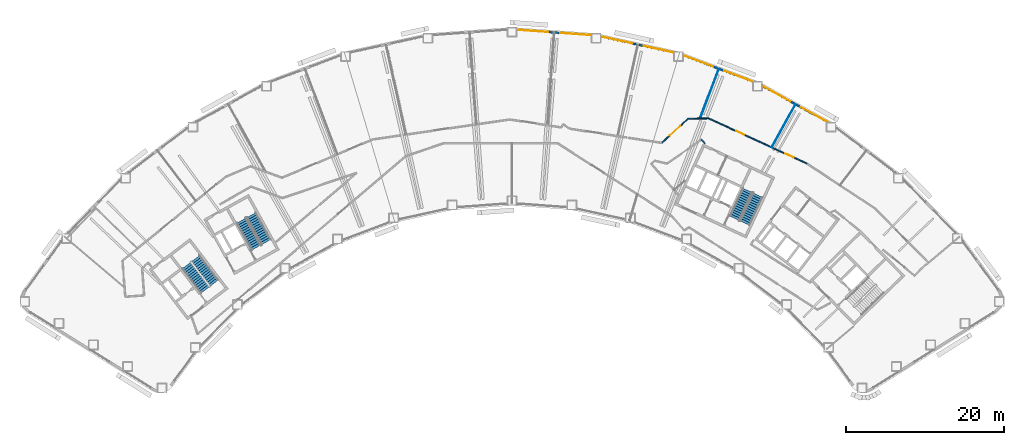
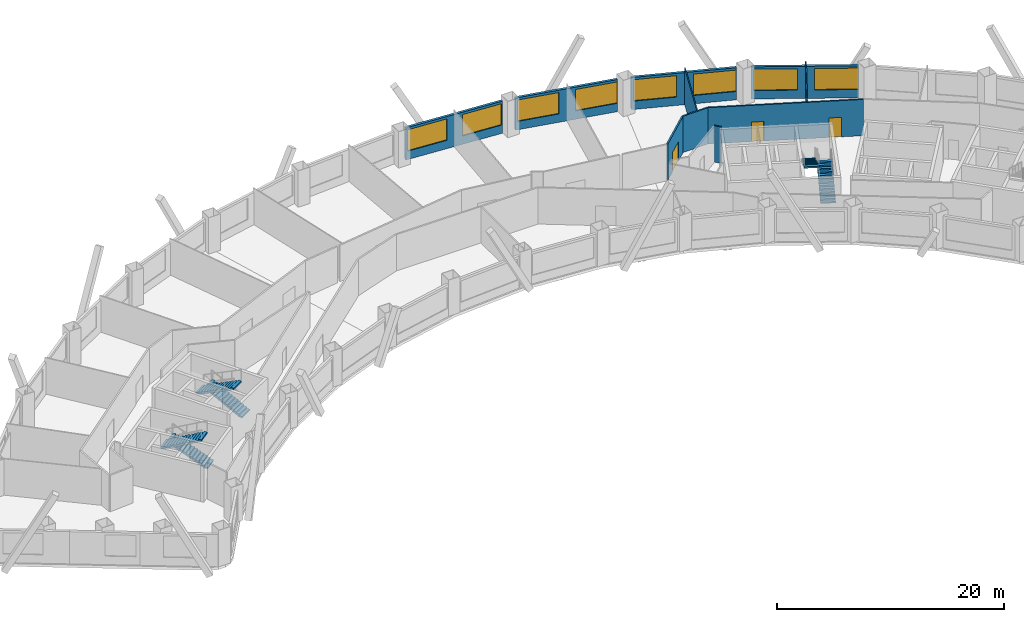
# One storey, part 8 of 11: 10 walls, 8 windows, 6 stair flights, 3 doors, 11 openings, 3 elements without a shape of their own.
"""IFC4 building model written with IfcOpenShell, lengths in metres."""

from ifc_helpers import new_model, si_unit, direction, frame, frame_2d, origin, place, context, subcontext, project, spatial, polyline, rectangle, outline, extrude, material, layer, layer_set, type_object, element, fill, aggregate, save


model = new_model("IFC4")

# Units and contexts
model_context = context("Model", 3, precision=1e-05, world=origin(), true_north=direction((0.0, 1.0)))
body_context = subcontext(model_context, "Body", "Model", "MODEL_VIEW")
ifc_project = project(units=[si_unit("LENGTHUNIT", "METRE"), si_unit("AREAUNIT", "SQUARE_METRE"), si_unit("VOLUMEUNIT", "CUBIC_METRE"), si_unit("PLANEANGLEUNIT", "RADIAN"), si_unit("MASSUNIT", "GRAM", prefix="KILO")], contexts=[model_context])

# Site, building, storey
site_placement = place(None, origin())
site = spatial("IfcSite", under=ifc_project, at=site_placement, CompositionType="ELEMENT")
building_placement = place(site_placement, origin())
building = spatial("IfcBuilding", under=site, at=building_placement, Name="Tuul Gate Civic Tower", CompositionType="ELEMENT")
storey_placement = place(building_placement, frame((0.0, 0.0, 65.39990234375)))
storey = spatial("IfcBuildingStorey", under=building, at=storey_placement, Name="Level 14", CompositionType="ELEMENT", Elevation=65.39990234375)

# Wall, openings, doors
ifc_material_1 = material(Name="Gypsum board partition")
ifc_layer_1 = layer(ifc_material_1, 0.14990234375)
ifc_layer_set_1 = layer_set([ifc_layer_1], Name="Gypsum board partition")
wall_type_1 = type_object("IfcWallType", Name="Corridor wall P150", PredefinedType="PARTITIONING", material=ifc_layer_set_1)
wall_1_placement = place(storey_placement, frame((29.681884765625, 7.77734375, 0.0), z_axis=(0.0, 0.0, 1.0), x_axis=(0.908660653777, -0.417535407213, 0.0)))
wall_1 = element("IfcWall", 1, at=wall_1_placement, inside=storey, type_object=wall_type_1, Name="p010", PredefinedType="PARTITIONING", context=body_context, shape_type="SweptSolid", body=[
    extrude(rectangle(XDim=13.76123046875, YDim=0.14990234375, at=frame_2d((6.880615234375, 0.0))), origin(), (0.0, 0.0, 1.0), 3.900146484375),
])
opening_1_placement = place(wall_1_placement, frame((10.729736328125, 0.0, 0.0)))
opening_1 = element("IfcOpeningElement", 2, at=opening_1_placement, cuts=wall_1, Name="Opening D-D02", PredefinedType="OPENING", context=body_context, shape_type="SweptSolid", body=[
    extrude(rectangle(XDim=1.10009765625, YDim=2.10009765625, at=frame_2d((0.550048828125, 1.050048828125))), frame((0.0, 0.0849609375, 0.0), z_axis=(0.0, -1.0, 0.0), x_axis=(1.0, 0.0, 0.0)), (0.0, 0.0, 1.0), 0.169921875),
])
opening_2_placement = place(wall_1_placement, frame((3.84912109375, 0.0, 0.0)))
opening_2 = element("IfcOpeningElement", 3, at=opening_2_placement, cuts=wall_1, Name="Opening D-D03", PredefinedType="OPENING", context=body_context, shape_type="SweptSolid", body=[
    extrude(rectangle(XDim=1.10009765625, YDim=2.10009765625, at=frame_2d((0.550048828125, 1.050048828125))), frame((0.0, 0.0849609375, 0.0), z_axis=(0.0, -1.0, 0.0), x_axis=(1.0, 0.0, 0.0)), (0.0, 0.0, 1.0), 0.169921875),
])
ifc_material_2 = material(Name="Timber door leaf", Category="wood")
door_type_1 = type_object("IfcDoorType", Name="Door D11", OperationType="NOTDEFINED", PredefinedType="DOOR", material=ifc_material_2)
door_1_placement = place(opening_1_placement, origin())
door_1 = element("IfcDoor", 4, at=door_1_placement, inside=storey, type_object=door_type_1, Name="Door D-D02", OperationType="SINGLE_SWING_RIGHT", OverallHeight=2.10009765625, OverallWidth=1.10009765625, PredefinedType="DOOR", context=body_context, shape_type="SweptSolid", body=[
    extrude(rectangle(XDim=1.10009765625, YDim=2.10009765625, at=frame_2d((0.550048828125, 1.050048828125))), frame((0.0, 0.02490234375, 0.0), z_axis=(0.0, -1.0, 0.0), x_axis=(1.0, 0.0, 0.0)), (0.0, 0.0, 1.0), 0.050048828125),
])
fill(opening_1, door_1)
door_2_placement = place(opening_2_placement, origin())
door_2 = element("IfcDoor", 5, at=door_2_placement, inside=storey, type_object=door_type_1, Name="Door D-D03", OperationType="SINGLE_SWING_RIGHT", OverallHeight=2.10009765625, OverallWidth=1.10009765625, PredefinedType="DOOR", context=body_context, shape_type="SweptSolid", body=[
    extrude(rectangle(XDim=1.10009765625, YDim=2.10009765625, at=frame_2d((0.550048828125, 1.050048828125))), frame((0.0, 0.02490234375, 0.0), z_axis=(0.0, -1.0, 0.0), x_axis=(1.0, 0.0, 0.0)), (0.0, 0.0, 1.0), 0.050048828125),
])
fill(opening_2, door_2)

# Wall
wall_2_placement = place(storey_placement, frame((27.086669921875, 7.726806640625, 0.0), z_axis=(0.0, 0.0, 1.0), x_axis=(0.999808508036, 0.019569038268, 0.0)))
element("IfcWall", 6, at=wall_2_placement, inside=storey, type_object=wall_type_1, Name="p012", PredefinedType="PARTITIONING", context=body_context, shape_type="SweptSolid", body=[
    extrude(rectangle(XDim=2.594970703125, YDim=0.14990234375, at=frame_2d((1.29736328125, 0.0))), origin(), (0.0, 0.0, 1.0), 3.900146484375),
])

# Wall, opening, door
wall_3_placement = place(storey_placement, frame((23.764404296875, 4.680419921875, 0.0), z_axis=(0.0, 0.0, 1.0), x_axis=(0.736974217678, 0.675920855188, 0.0)))
wall_3 = element("IfcWall", 7, at=wall_3_placement, inside=storey, type_object=wall_type_1, Name="p014", PredefinedType="PARTITIONING", context=body_context, shape_type="SweptSolid", body=[
    extrude(rectangle(XDim=4.506591796875, YDim=0.14990234375, at=frame_2d((2.25341796875, 0.0))), origin(), (0.0, 0.0, 1.0), 3.900146484375),
])
opening_3_placement = place(wall_3_placement, frame((1.353515625, 0.0, 0.0)))
opening_3 = element("IfcOpeningElement", 8, at=opening_3_placement, cuts=wall_3, Name="Opening D-D04", PredefinedType="OPENING", context=body_context, shape_type="SweptSolid", body=[
    extrude(rectangle(XDim=1.800048828125, YDim=2.10009765625, at=frame_2d((0.89990234375, 1.050048828125))), frame((0.0, 0.0849609375, 0.0), z_axis=(0.0, -1.0, 0.0), x_axis=(1.0, 0.0, 0.0)), (0.0, 0.0, 1.0), 0.169921875),
])
ifc_material_3 = material(Name="Timber door leaf, double", Category="wood")
door_type_2 = type_object("IfcDoorType", Name="Door D18", OperationType="DOUBLE_DOOR_SINGLE_SWING", PredefinedType="DOOR", material=ifc_material_3)
door_3_placement = place(opening_3_placement, origin())
door_3 = element("IfcDoor", 9, at=door_3_placement, inside=storey, type_object=door_type_2, Name="Door D-D04", OperationType="DOUBLE_DOOR_SINGLE_SWING", OverallHeight=2.10009765625, OverallWidth=1.800048828125, PredefinedType="DOOR", context=body_context, shape_type="SweptSolid", body=[
    extrude(rectangle(XDim=1.800048828125, YDim=2.10009765625, at=frame_2d((0.89990234375, 1.050048828125))), frame((0.0, 0.02490234375, 0.0), z_axis=(0.0, -1.0, 0.0), x_axis=(1.0, 0.0, 0.0)), (0.0, 0.0, 1.0), 0.050048828125),
])
fill(opening_3, door_3)

# Wall
wall_4_placement = place(storey_placement, frame((28.791748046875, 5.095947265625, 0.0), z_axis=(0.0, 0.0, 1.0), x_axis=(0.657976599843, -0.753038374891, 0.0)))
element("IfcWall", 10, at=wall_4_placement, inside=storey, type_object=wall_type_1, Name="p058", PredefinedType="PARTITIONING", context=body_context, shape_type="SweptSolid", body=[
    extrude(rectangle(XDim=0.65478515625, YDim=0.14990234375, at=frame_2d((0.327392578125, 0.0))), origin(), (0.0, 0.0, 1.0), 3.900146484375),
])

# Wall, openings, windows
ifc_material_4 = material(Name="Precast concrete C40/50", Category="concrete")
ifc_layer_2 = layer(ifc_material_4, 0.25)
ifc_layer_set_2 = layer_set([ifc_layer_2], Name="Precast concrete C40/50")
wall_type_2 = type_object("IfcWallType", Name="External wall", PredefinedType="STANDARD", material=ifc_layer_set_2)
wall_5_placement = place(storey_placement, frame((44.798583984375, 7.283935546875, 0.0), z_axis=(0.0, 0.0, 1.0), x_axis=(-0.874600835604, 0.484843663835, 0.0)))
wall_5 = element("IfcWall", 11, at=wall_5_placement, inside=storey, type_object=wall_type_2, Name="External wall", PredefinedType="STANDARD", context=body_context, shape_type="SweptSolid", body=[
    extrude(rectangle(XDim=9.5205078125, YDim=0.25, at=frame_2d((4.76025390625, 0.0))), origin(), (0.0, 0.0, 1.0), 3.4501953125),
])
opening_4_placement = place(wall_5_placement, frame((0.0771484375, 0.0, 0.89990234375)))
opening_4 = element("IfcOpeningElement", 12, at=opening_4_placement, cuts=wall_5, Name="Opening W22", PredefinedType="OPENING", context=body_context, shape_type="SweptSolid", body=[
    extrude(rectangle(XDim=3.85009765625, YDim=2.300048828125, at=frame_2d((1.925048828125, 1.14990234375))), frame((0.0, 0.135009765625, 0.0), z_axis=(0.0, -1.0, 0.0), x_axis=(1.0, 0.0, 0.0)), (0.0, 0.0, 1.0), 0.27001953125),
])
opening_5_placement = place(wall_5_placement, frame((5.447998046875, 0.0, 0.89990234375)))
opening_5 = element("IfcOpeningElement", 13, at=opening_5_placement, cuts=wall_5, Name="Opening W22", PredefinedType="OPENING", context=body_context, shape_type="SweptSolid", body=[
    extrude(rectangle(XDim=3.85009765625, YDim=2.300048828125, at=frame_2d((1.925048828125, 1.14990234375))), frame((0.0, 0.135009765625, 0.0), z_axis=(0.0, -1.0, 0.0), x_axis=(1.0, 0.0, 0.0)), (0.0, 0.0, 1.0), 0.27001953125),
])
ifc_material_5 = material(Name="Glass", Category="glass")
window_type_1 = type_object("IfcWindowType", Name="Window W22 3850 x 2300", PartitioningType="SINGLE_PANEL", PredefinedType="WINDOW", material=ifc_material_5)
window_1_placement = place(opening_4_placement, origin())
window_1 = element("IfcWindow", 14, at=window_1_placement, inside=storey, type_object=window_type_1, Name="Window", OverallHeight=2.300048828125, OverallWidth=3.85009765625, PartitioningType="SINGLE_PANEL", PredefinedType="WINDOW", context=body_context, shape_type="SweptSolid", body=[
    extrude(rectangle(XDim=3.85009765625, YDim=2.300048828125, at=frame_2d((1.925048828125, 1.14990234375))), frame((0.0, 0.030029296875, 0.0), z_axis=(0.0, -1.0, 0.0), x_axis=(1.0, 0.0, 0.0)), (0.0, 0.0, 1.0), 0.06005859375),
])
fill(opening_4, window_1)
window_2_placement = place(opening_5_placement, origin())
window_2 = element("IfcWindow", 15, at=window_2_placement, inside=storey, type_object=window_type_1, Name="Window", OverallHeight=2.300048828125, OverallWidth=3.85009765625, PartitioningType="SINGLE_PANEL", PredefinedType="WINDOW", context=body_context, shape_type="SweptSolid", body=[
    extrude(rectangle(XDim=3.85009765625, YDim=2.300048828125, at=frame_2d((1.925048828125, 1.14990234375))), frame((0.0, 0.030029296875, 0.0), z_axis=(0.0, -1.0, 0.0), x_axis=(1.0, 0.0, 0.0)), (0.0, 0.0, 1.0), 0.06005859375),
])
fill(opening_5, window_2)

wall_6_placement = place(storey_placement, frame((35.27197265625, 12.43505859375, 0.0), z_axis=(0.0, 0.0, 1.0), x_axis=(-0.935339717619, 0.35375077759, 0.0)))
wall_6 = element("IfcWall", 16, at=wall_6_placement, inside=storey, type_object=wall_type_2, Name="External wall", PredefinedType="STANDARD", context=body_context, shape_type="SweptSolid", body=[
    extrude(rectangle(XDim=9.394287109375, YDim=0.25, at=frame_2d((4.697265625, 0.0))), origin(), (0.0, 0.0, 1.0), 3.4501953125),
])
opening_6_placement = place(wall_6_placement, frame((0.044921875, 0.0, 0.89990234375)))
opening_6 = element("IfcOpeningElement", 17, at=opening_6_placement, cuts=wall_6, Name="Opening W100", PredefinedType="OPENING", context=body_context, shape_type="SweptSolid", body=[
    extrude(rectangle(XDim=3.800048828125, YDim=2.300048828125, at=frame_2d((1.89990234375, 1.14990234375))), frame((0.0, 0.135009765625, 0.0), z_axis=(0.0, -1.0, 0.0), x_axis=(1.0, 0.0, 0.0)), (0.0, 0.0, 1.0), 0.27001953125),
])
opening_7_placement = place(wall_6_placement, frame((5.33447265625, 0.0, 0.89990234375)))
opening_7 = element("IfcOpeningElement", 18, at=opening_7_placement, cuts=wall_6, Name="Opening W22", PredefinedType="OPENING", context=body_context, shape_type="SweptSolid", body=[
    extrude(rectangle(XDim=3.85009765625, YDim=2.300048828125, at=frame_2d((1.925048828125, 1.14990234375))), frame((0.0, 0.135009765625, 0.0), z_axis=(0.0, -1.0, 0.0), x_axis=(1.0, 0.0, 0.0)), (0.0, 0.0, 1.0), 0.27001953125),
])
ifc_material_6 = material(Name="Glass", Category="glass")
window_type_2 = type_object("IfcWindowType", Name="Window W100 3800 x 2300", PartitioningType="SINGLE_PANEL", PredefinedType="WINDOW", material=ifc_material_6)
window_3_placement = place(opening_6_placement, origin())
window_3 = element("IfcWindow", 19, at=window_3_placement, inside=storey, type_object=window_type_2, Name="Window", OverallHeight=2.300048828125, OverallWidth=3.800048828125, PartitioningType="SINGLE_PANEL", PredefinedType="WINDOW", context=body_context, shape_type="SweptSolid", body=[
    extrude(rectangle(XDim=3.800048828125, YDim=2.300048828125, at=frame_2d((1.89990234375, 1.14990234375))), frame((0.0, 0.030029296875, 0.0), z_axis=(0.0, -1.0, 0.0), x_axis=(1.0, 0.0, 0.0)), (0.0, 0.0, 1.0), 0.06005859375),
])
fill(opening_6, window_3)
window_4_placement = place(opening_7_placement, origin())
window_4 = element("IfcWindow", 20, at=window_4_placement, inside=storey, type_object=window_type_1, Name="Window", OverallHeight=2.300048828125, OverallWidth=3.85009765625, PartitioningType="SINGLE_PANEL", PredefinedType="WINDOW", context=body_context, shape_type="SweptSolid", body=[
    extrude(rectangle(XDim=3.85009765625, YDim=2.300048828125, at=frame_2d((1.925048828125, 1.14990234375))), frame((0.0, 0.030029296875, 0.0), z_axis=(0.0, -1.0, 0.0), x_axis=(1.0, 0.0, 0.0)), (0.0, 0.0, 1.0), 0.06005859375),
])
fill(opening_7, window_4)

wall_7_placement = place(storey_placement, frame((25.284912109375, 16.1025390625, 0.0), z_axis=(0.0, 0.0, 1.0), x_axis=(-0.976565560321, 0.215220134732, 0.0)))
wall_7 = element("IfcWall", 21, at=wall_7_placement, inside=storey, type_object=wall_type_2, Name="External wall", PredefinedType="STANDARD", context=body_context, shape_type="SweptSolid", body=[
    extrude(rectangle(XDim=9.4482421875, YDim=0.25, at=frame_2d((4.72412109375, 0.0))), origin(), (0.0, 0.0, 1.0), 3.4501953125),
])
opening_8_placement = place(wall_7_placement, frame((0.041748046875, 0.0, 0.89990234375)))
opening_8 = element("IfcOpeningElement", 22, at=opening_8_placement, cuts=wall_7, Name="Opening W22", PredefinedType="OPENING", context=body_context, shape_type="SweptSolid", body=[
    extrude(rectangle(XDim=3.85009765625, YDim=2.300048828125, at=frame_2d((1.925048828125, 1.14990234375))), frame((0.0, 0.135009765625, 0.0), z_axis=(0.0, -1.0, 0.0), x_axis=(1.0, 0.0, 0.0)), (0.0, 0.0, 1.0), 0.27001953125),
])
opening_9_placement = place(wall_7_placement, frame((5.4130859375, 0.0, 0.89990234375)))
opening_9 = element("IfcOpeningElement", 23, at=opening_9_placement, cuts=wall_7, Name="Opening W22", PredefinedType="OPENING", context=body_context, shape_type="SweptSolid", body=[
    extrude(rectangle(XDim=3.85009765625, YDim=2.300048828125, at=frame_2d((1.925048828125, 1.14990234375))), frame((0.0, 0.135009765625, 0.0), z_axis=(0.0, -1.0, 0.0), x_axis=(1.0, 0.0, 0.0)), (0.0, 0.0, 1.0), 0.27001953125),
])
window_5_placement = place(opening_8_placement, origin())
window_5 = element("IfcWindow", 24, at=window_5_placement, inside=storey, type_object=window_type_1, Name="Window", OverallHeight=2.300048828125, OverallWidth=3.85009765625, PartitioningType="SINGLE_PANEL", PredefinedType="WINDOW", context=body_context, shape_type="SweptSolid", body=[
    extrude(rectangle(XDim=3.85009765625, YDim=2.300048828125, at=frame_2d((1.925048828125, 1.14990234375))), frame((0.0, 0.030029296875, 0.0), z_axis=(0.0, -1.0, 0.0), x_axis=(1.0, 0.0, 0.0)), (0.0, 0.0, 1.0), 0.06005859375),
])
fill(opening_8, window_5)
window_6_placement = place(opening_9_placement, origin())
window_6 = element("IfcWindow", 25, at=window_6_placement, inside=storey, type_object=window_type_1, Name="Window", OverallHeight=2.300048828125, OverallWidth=3.85009765625, PartitioningType="SINGLE_PANEL", PredefinedType="WINDOW", context=body_context, shape_type="SweptSolid", body=[
    extrude(rectangle(XDim=3.85009765625, YDim=2.300048828125, at=frame_2d((1.925048828125, 1.14990234375))), frame((0.0, 0.030029296875, 0.0), z_axis=(0.0, -1.0, 0.0), x_axis=(1.0, 0.0, 0.0)), (0.0, 0.0, 1.0), 0.06005859375),
])
fill(opening_9, window_6)

wall_8_placement = place(storey_placement, frame((14.85791015625, 18.304931640625, 0.0), z_axis=(0.0, 0.0, 1.0), x_axis=(-0.997388240585, 0.072226709338, 0.0)))
wall_8 = element("IfcWall", 26, at=wall_8_placement, inside=storey, type_object=wall_type_2, Name="External wall", PredefinedType="STANDARD", context=body_context, shape_type="SweptSolid", body=[
    extrude(rectangle(XDim=9.474609375, YDim=0.25, at=frame_2d((4.7373046875, 0.0))), origin(), (0.0, 0.0, 1.0), 3.4501953125),
])
opening_10_placement = place(wall_8_placement, frame((0.10302734375, 0.0, 0.89990234375)))
opening_10 = element("IfcOpeningElement", 27, at=opening_10_placement, cuts=wall_8, Name="Opening W22", PredefinedType="OPENING", context=body_context, shape_type="SweptSolid", body=[
    extrude(rectangle(XDim=3.85009765625, YDim=2.300048828125, at=frame_2d((1.925048828125, 1.14990234375))), frame((0.0, 0.135009765625, 0.0), z_axis=(0.0, -1.0, 0.0), x_axis=(1.0, 0.0, 0.0)), (0.0, 0.0, 1.0), 0.27001953125),
])
opening_11_placement = place(wall_8_placement, frame((5.474609375, 0.0, 0.89990234375)))
opening_11 = element("IfcOpeningElement", 28, at=opening_11_placement, cuts=wall_8, Name="Opening W22", PredefinedType="OPENING", context=body_context, shape_type="SweptSolid", body=[
    extrude(rectangle(XDim=3.85009765625, YDim=2.300048828125, at=frame_2d((1.925048828125, 1.14990234375))), frame((0.0, 0.135009765625, 0.0), z_axis=(0.0, -1.0, 0.0), x_axis=(1.0, 0.0, 0.0)), (0.0, 0.0, 1.0), 0.27001953125),
])
window_7_placement = place(opening_10_placement, origin())
window_7 = element("IfcWindow", 29, at=window_7_placement, inside=storey, type_object=window_type_1, Name="Window", OverallHeight=2.300048828125, OverallWidth=3.85009765625, PartitioningType="SINGLE_PANEL", PredefinedType="WINDOW", context=body_context, shape_type="SweptSolid", body=[
    extrude(rectangle(XDim=3.85009765625, YDim=2.300048828125, at=frame_2d((1.925048828125, 1.14990234375))), frame((0.0, 0.030029296875, 0.0), z_axis=(0.0, -1.0, 0.0), x_axis=(1.0, 0.0, 0.0)), (0.0, 0.0, 1.0), 0.06005859375),
])
fill(opening_10, window_7)
window_8_placement = place(opening_11_placement, origin())
window_8 = element("IfcWindow", 30, at=window_8_placement, inside=storey, type_object=window_type_1, Name="Window", OverallHeight=2.300048828125, OverallWidth=3.85009765625, PartitioningType="SINGLE_PANEL", PredefinedType="WINDOW", context=body_context, shape_type="SweptSolid", body=[
    extrude(rectangle(XDim=3.85009765625, YDim=2.300048828125, at=frame_2d((1.925048828125, 1.14990234375))), frame((0.0, 0.030029296875, 0.0), z_axis=(0.0, -1.0, 0.0), x_axis=(1.0, 0.0, 0.0)), (0.0, 0.0, 1.0), 0.06005859375),
])
fill(opening_11, window_8)

# Walls
ifc_material_7 = material(Name="Gypsum board partition")
ifc_layer_3 = layer(ifc_material_7, 0.10009765625)
ifc_layer_set_3 = layer_set([ifc_layer_3], Name="Gypsum board partition")
wall_type_3 = type_object("IfcWallType", Name="Partition P100", PredefinedType="PARTITIONING", material=ifc_layer_set_3)
wall_9_placement = place(storey_placement, frame((37.67626953125, 4.103759765625, 0.0), z_axis=(0.0, 0.0, 1.0), x_axis=(0.484825476666, 0.874610917595, 0.0)))
element("IfcWall", 31, at=wall_9_placement, inside=storey, type_object=wall_type_3, Name="p009", PredefinedType="PARTITIONING", context=body_context, shape_type="SweptSolid", body=[
    extrude(rectangle(XDim=6.23974609375, YDim=0.10009765625, at=frame_2d((3.119873046875, 0.0))), origin(), (0.0, 0.0, 1.0), 3.900146484375),
])
wall_10_placement = place(storey_placement, frame((28.6123046875, 7.756591796875, 0.0), z_axis=(0.0, 0.0, 1.0), x_axis=(0.353735300926, 0.935345570834, 0.0)))
element("IfcWall", 32, at=wall_10_placement, inside=storey, type_object=wall_type_3, Name="p011", PredefinedType="PARTITIONING", context=body_context, shape_type="SweptSolid", body=[
    extrude(rectangle(XDim=6.73681640625, YDim=0.10009765625, at=frame_2d((3.368408203125, 0.0))), origin(), (0.0, 0.0, 1.0), 3.900146484375),
])

# Stair, stair flights
ifc_material_8 = material(Name="Concrete C40/50", Category="concrete")
stair_type = type_object("IfcStairType", Name="Exit stair", PredefinedType="HALF_TURN_STAIR", material=ifc_material_8)
stair_1_placement = place(storey_placement, origin())
stair_1 = element("IfcStair", 33, at=stair_1_placement, inside=storey, type_object=stair_type, Name="Level 14 ST-1", PredefinedType="HALF_TURN_STAIR")
ifc_material_9 = material(Name="Concrete C40/50", Category="concrete")
stair_flight_type = type_object("IfcStairFlightType", Name="Exit stair flight", PredefinedType="STRAIGHT", material=ifc_material_9)
stair_flight_1_placement = place(storey_placement, frame((-32.875244140625, -13.066650390625, 0.0), z_axis=(0.0, 0.0, 1.0), x_axis=(-0.605764474941, 0.795644016442, 0.0)))
stair_flight_1 = element("IfcStairFlight", 34, at=stair_flight_1_placement, type_object=stair_flight_type, Name="ST-1 flight 1", NumberOfRisers=14, NumberOfTreads=13, PredefinedType="STRAIGHT", RiserHeight=0.15, TreadLength=0.3, context=body_context, shape_type="SweptSolid", body=[
    extrude(outline(polyline([(0.0, 0.0), (0.0, 0.14990234375), (0.300048828125, 0.14990234375), (0.300048828125, 0.300048828125), (0.60009765625, 0.300048828125), (0.60009765625, 0.449951171875), (0.89990234375, 0.449951171875), (0.89990234375, 0.60009765625), (1.199951171875, 0.60009765625), (1.199951171875, 0.75), (1.5, 0.75), (1.5, 0.89990234375), (1.800048828125, 0.89990234375), (1.800048828125, 1.050048828125), (2.10009765625, 1.050048828125), (2.10009765625, 1.199951171875), (2.39990234375, 1.199951171875), (2.39990234375, 1.35009765625), (2.699951171875, 1.35009765625), (2.699951171875, 1.5), (3.0, 1.5), (3.0, 1.64990234375), (3.300048828125, 1.64990234375), (3.300048828125, 1.800048828125), (3.60009765625, 1.800048828125), (3.60009765625, 1.949951171875), (3.89990234375, 1.949951171875), (3.89990234375, 2.10009765625), (3.89990234375, 1.782470703125), (0.335205078125, 0.0), (0.0, 0.0)])), frame((0.0, 0.675048828125, 0.0), z_axis=(0.0, -1.0, 0.0), x_axis=(1.0, 0.0, 0.0)), (0.0, 0.0, 1.0), 1.35009765625),
])
stair_flight_2_placement = place(storey_placement, frame((-36.391357421875, -10.842041015625, 2.10009765625), z_axis=(0.0, 0.0, 1.0), x_axis=(0.605764474941, -0.795644016442, 0.0)))
stair_flight_2 = element("IfcStairFlight", 35, at=stair_flight_2_placement, type_object=stair_flight_type, Name="ST-1 flight 2", NumberOfRisers=14, NumberOfTreads=13, PredefinedType="STRAIGHT", RiserHeight=0.15, TreadLength=0.3, context=body_context, shape_type="SweptSolid", body=[
    extrude(outline(polyline([(0.0, 0.0), (0.0, 0.14990234375), (0.300048828125, 0.14990234375), (0.300048828125, 0.300048828125), (0.60009765625, 0.300048828125), (0.60009765625, 0.449951171875), (0.89990234375, 0.449951171875), (0.89990234375, 0.60009765625), (1.199951171875, 0.60009765625), (1.199951171875, 0.75), (1.5, 0.75), (1.5, 0.89990234375), (1.800048828125, 0.89990234375), (1.800048828125, 1.050048828125), (2.10009765625, 1.050048828125), (2.10009765625, 1.199951171875), (2.39990234375, 1.199951171875), (2.39990234375, 1.35009765625), (2.699951171875, 1.35009765625), (2.699951171875, 1.5), (3.0, 1.5), (3.0, 1.64990234375), (3.300048828125, 1.64990234375), (3.300048828125, 1.800048828125), (3.60009765625, 1.800048828125), (3.60009765625, 1.949951171875), (3.89990234375, 1.949951171875), (3.89990234375, 2.10009765625), (3.89990234375, 1.782470703125), (0.335205078125, 0.0), (0.0, 0.0)])), frame((0.0, 0.675048828125, 0.0), z_axis=(0.0, -1.0, 0.0), x_axis=(1.0, 0.0, 0.0)), (0.0, 0.0, 1.0), 1.35009765625),
])
aggregate(stair_1, [stair_flight_1, stair_flight_2])

stair_2_placement = place(storey_placement, origin())
stair_2 = element("IfcStair", 36, at=stair_2_placement, inside=storey, type_object=stair_type, Name="Level 14 ST-2", PredefinedType="HALF_TURN_STAIR")
stair_flight_3_placement = place(storey_placement, frame((-26.29150390625, -7.87646484375, 0.0), z_axis=(0.0, 0.0, 1.0), x_axis=(-0.484761763766, 0.874646232708, 0.0)))
stair_flight_3 = element("IfcStairFlight", 37, at=stair_flight_3_placement, type_object=stair_flight_type, Name="ST-2 flight 1", NumberOfRisers=14, NumberOfTreads=13, PredefinedType="STRAIGHT", RiserHeight=0.15, TreadLength=0.3, context=body_context, shape_type="SweptSolid", body=[
    extrude(outline(polyline([(0.0, 0.0), (0.0, 0.14990234375), (0.300048828125, 0.14990234375), (0.300048828125, 0.300048828125), (0.60009765625, 0.300048828125), (0.60009765625, 0.449951171875), (0.89990234375, 0.449951171875), (0.89990234375, 0.60009765625), (1.199951171875, 0.60009765625), (1.199951171875, 0.75), (1.5, 0.75), (1.5, 0.89990234375), (1.800048828125, 0.89990234375), (1.800048828125, 1.050048828125), (2.10009765625, 1.050048828125), (2.10009765625, 1.199951171875), (2.39990234375, 1.199951171875), (2.39990234375, 1.35009765625), (2.699951171875, 1.35009765625), (2.699951171875, 1.5), (3.0, 1.5), (3.0, 1.64990234375), (3.300048828125, 1.64990234375), (3.300048828125, 1.800048828125), (3.60009765625, 1.800048828125), (3.60009765625, 1.949951171875), (3.89990234375, 1.949951171875), (3.89990234375, 2.10009765625), (3.89990234375, 1.782470703125), (0.335205078125, 0.0), (0.0, 0.0)])), frame((0.0, 0.675048828125, 0.0), z_axis=(0.0, -1.0, 0.0), x_axis=(1.0, 0.0, 0.0)), (0.0, 0.0, 1.0), 1.35009765625),
])
stair_flight_4_placement = place(storey_placement, frame((-29.450439453125, -5.168212890625, 2.10009765625), z_axis=(0.0, 0.0, 1.0), x_axis=(0.484761763766, -0.874646232708, 0.0)))
stair_flight_4 = element("IfcStairFlight", 38, at=stair_flight_4_placement, type_object=stair_flight_type, Name="ST-2 flight 2", NumberOfRisers=14, NumberOfTreads=13, PredefinedType="STRAIGHT", RiserHeight=0.15, TreadLength=0.3, context=body_context, shape_type="SweptSolid", body=[
    extrude(outline(polyline([(0.0, 0.0), (0.0, 0.14990234375), (0.300048828125, 0.14990234375), (0.300048828125, 0.300048828125), (0.60009765625, 0.300048828125), (0.60009765625, 0.449951171875), (0.89990234375, 0.449951171875), (0.89990234375, 0.60009765625), (1.199951171875, 0.60009765625), (1.199951171875, 0.75), (1.5, 0.75), (1.5, 0.89990234375), (1.800048828125, 0.89990234375), (1.800048828125, 1.050048828125), (2.10009765625, 1.050048828125), (2.10009765625, 1.199951171875), (2.39990234375, 1.199951171875), (2.39990234375, 1.35009765625), (2.699951171875, 1.35009765625), (2.699951171875, 1.5), (3.0, 1.5), (3.0, 1.64990234375), (3.300048828125, 1.64990234375), (3.300048828125, 1.800048828125), (3.60009765625, 1.800048828125), (3.60009765625, 1.949951171875), (3.89990234375, 1.949951171875), (3.89990234375, 2.10009765625), (3.89990234375, 1.782470703125), (0.335205078125, 0.0), (0.0, 0.0)])), frame((0.0, 0.675048828125, 0.0), z_axis=(0.0, -1.0, 0.0), x_axis=(1.0, 0.0, 0.0)), (0.0, 0.0, 1.0), 1.35009765625),
])
aggregate(stair_2, [stair_flight_3, stair_flight_4])

stair_3_placement = place(storey_placement, origin())
stair_3 = element("IfcStair", 39, at=stair_3_placement, inside=storey, type_object=stair_type, Name="Level 14 ST-4", PredefinedType="HALF_TURN_STAIR")
stair_flight_5_placement = place(storey_placement, frame((34.278564453125, -5.478515625, 0.0), z_axis=(0.0, 0.0, 1.0), x_axis=(0.422576295988, 0.906327354806, 0.0)))
stair_flight_5 = element("IfcStairFlight", 40, at=stair_flight_5_placement, type_object=stair_flight_type, Name="ST-4 flight 1", NumberOfRisers=14, NumberOfTreads=13, PredefinedType="STRAIGHT", RiserHeight=0.15, TreadLength=0.3, context=body_context, shape_type="SweptSolid", body=[
    extrude(outline(polyline([(0.0, 0.0), (0.0, 0.14990234375), (0.300048828125, 0.14990234375), (0.300048828125, 0.300048828125), (0.60009765625, 0.300048828125), (0.60009765625, 0.449951171875), (0.89990234375, 0.449951171875), (0.89990234375, 0.60009765625), (1.199951171875, 0.60009765625), (1.199951171875, 0.75), (1.5, 0.75), (1.5, 0.89990234375), (1.800048828125, 0.89990234375), (1.800048828125, 1.050048828125), (2.10009765625, 1.050048828125), (2.10009765625, 1.199951171875), (2.39990234375, 1.199951171875), (2.39990234375, 1.35009765625), (2.699951171875, 1.35009765625), (2.699951171875, 1.5), (3.0, 1.5), (3.0, 1.64990234375), (3.300048828125, 1.64990234375), (3.300048828125, 1.800048828125), (3.60009765625, 1.800048828125), (3.60009765625, 1.949951171875), (3.89990234375, 1.949951171875), (3.89990234375, 2.10009765625), (3.89990234375, 1.782470703125), (0.335205078125, 0.0), (0.0, 0.0)])), frame((0.0, 0.675048828125, 0.0), z_axis=(0.0, -1.0, 0.0), x_axis=(1.0, 0.0, 0.0)), (0.0, 0.0, 1.0), 1.35009765625),
])
stair_flight_6_placement = place(storey_placement, frame((34.612548828125, -1.3310546875, 2.10009765625), z_axis=(0.0, 0.0, 1.0), x_axis=(-0.422576295988, -0.906327354806, 0.0)))
stair_flight_6 = element("IfcStairFlight", 41, at=stair_flight_6_placement, type_object=stair_flight_type, Name="ST-4 flight 2", NumberOfRisers=14, NumberOfTreads=13, PredefinedType="STRAIGHT", RiserHeight=0.15, TreadLength=0.3, context=body_context, shape_type="SweptSolid", body=[
    extrude(outline(polyline([(0.0, 0.0), (0.0, 0.14990234375), (0.300048828125, 0.14990234375), (0.300048828125, 0.300048828125), (0.60009765625, 0.300048828125), (0.60009765625, 0.449951171875), (0.89990234375, 0.449951171875), (0.89990234375, 0.60009765625), (1.199951171875, 0.60009765625), (1.199951171875, 0.75), (1.5, 0.75), (1.5, 0.89990234375), (1.800048828125, 0.89990234375), (1.800048828125, 1.050048828125), (2.10009765625, 1.050048828125), (2.10009765625, 1.199951171875), (2.39990234375, 1.199951171875), (2.39990234375, 1.35009765625), (2.699951171875, 1.35009765625), (2.699951171875, 1.5), (3.0, 1.5), (3.0, 1.64990234375), (3.300048828125, 1.64990234375), (3.300048828125, 1.800048828125), (3.60009765625, 1.800048828125), (3.60009765625, 1.949951171875), (3.89990234375, 1.949951171875), (3.89990234375, 2.10009765625), (3.89990234375, 1.782470703125), (0.335205078125, 0.0), (0.0, 0.0)])), frame((0.0, 0.675048828125, 0.0), z_axis=(0.0, -1.0, 0.0), x_axis=(1.0, 0.0, 0.0)), (0.0, 0.0, 1.0), 1.35009765625),
])
aggregate(stair_3, [stair_flight_5, stair_flight_6])

save(model, "model.ifc")
